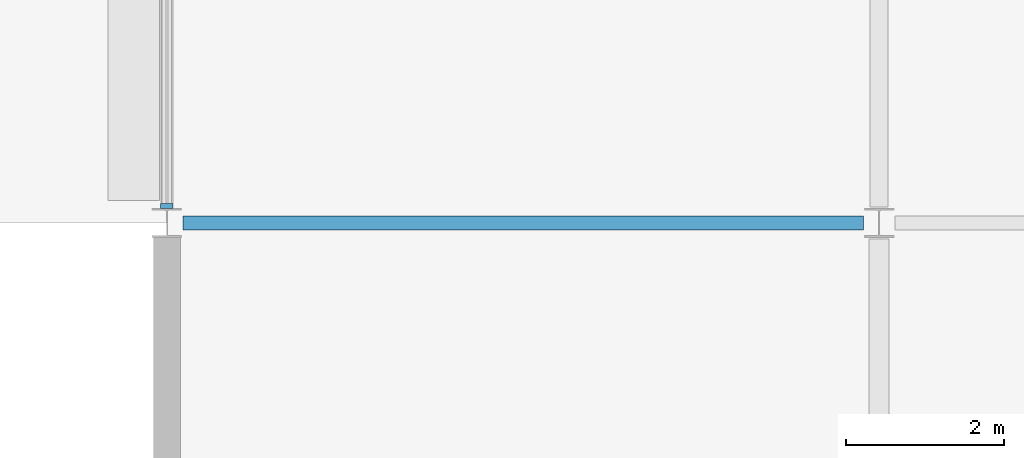
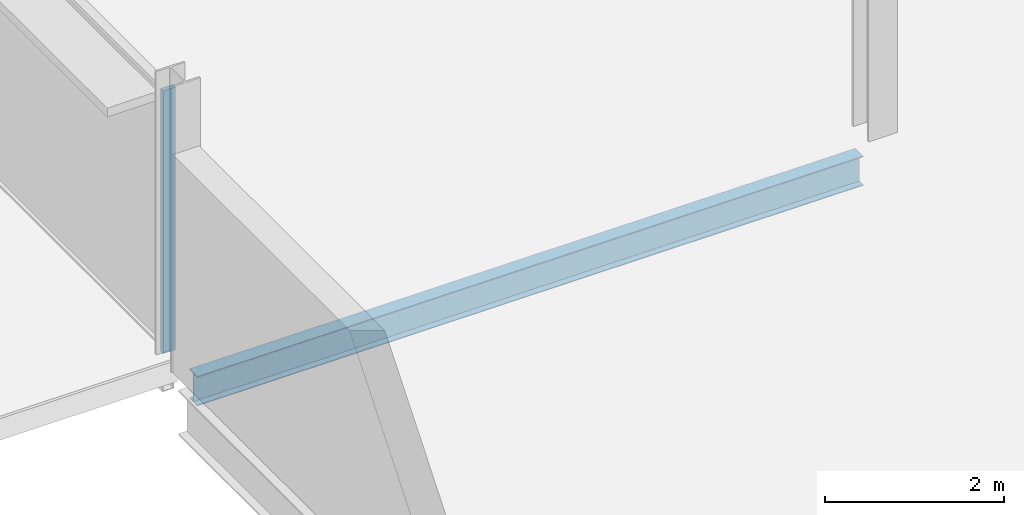
# One storey, part 50 of 105: 1 beam, 1 member, 1 element without a shape of its own.
"""IFC4 building model written with IfcOpenShell, lengths in metres."""

from ifc_helpers import new_model, si_unit, direction, frame, origin, origin_2d, place, context, subcontext, project, spatial, rectangle, i_section, extrude, material, layer, layer_set, material_profile, profile_set, type_object, element, aggregate, save


model = new_model("IFC4")

# Units and contexts
model_context = context("Model", 3, precision=1e-05, world=origin(), true_north=direction((0.0, 1.0)))
body_context = subcontext(model_context, "Body", "Model", "MODEL_VIEW")
ifc_project = project(units=[si_unit("LENGTHUNIT", "METRE"), si_unit("AREAUNIT", "SQUARE_METRE"), si_unit("VOLUMEUNIT", "CUBIC_METRE"), si_unit("PLANEANGLEUNIT", "RADIAN"), si_unit("MASSUNIT", "GRAM", prefix="KILO")], contexts=[model_context])

# Site, building, storey
site_placement = place(None, origin())
site = spatial("IfcSite", under=ifc_project, at=site_placement, CompositionType="ELEMENT")
building_placement = place(site_placement, origin())
building = spatial("IfcBuilding", under=site, at=building_placement, Name="Kisiwana Market Hall", CompositionType="ELEMENT")
storey_placement = place(building_placement, frame((0.0, 0.0, 21.60009765625)))
storey = spatial("IfcBuildingStorey", under=building, at=storey_placement, Name="L04", CompositionType="ELEMENT", Elevation=21.60009765625)

# Beam
ifc_material_1 = material(Name="Steel S355", Category="steel")
ifc_material_profile_1 = material_profile(ifc_material_1, i_section(OverallWidth=0.177734375, OverallDepth=0.402587890625, WebThickness=0.0078125, FlangeThickness=0.010986328125, at=origin_2d()), Name="UB 406x178x54")
ifc_profile_set_1 = profile_set([ifc_material_profile_1], Name="Steel S355")
beam_type = type_object("IfcBeamType", Name="BM-JOIST-UB406", PredefinedType="JOIST", material=ifc_profile_set_1)
beam_placement = place(storey_placement, frame((153.201904296875, 84.0, -0.4462890625), z_axis=(1.0, 0.0, 0.0), x_axis=(0.0, 1.0, 0.0)))
element("IfcBeam", 1, at=beam_placement, inside=storey, type_object=beam_type, Name="Floor beam B-1457", PredefinedType="JOIST", context=body_context, shape_type="SweptSolid", body=[
    extrude(i_section(OverallWidth=0.177734375, OverallDepth=0.402587890625, WebThickness=0.0078125, FlangeThickness=0.010986328125, at=origin_2d()), origin(), (0.0, 0.0, 1.0), 8.59912109375),
])

# Curtain wall, member
ifc_material_2 = material(Name="Double-glazed solar-control low-E IGU", Category="glass")
ifc_layer = layer(ifc_material_2, 0.159912109375)
ifc_layer_set = layer_set([ifc_layer], Name="CW-ZNA-EW-8200")
curtain_wall_type = type_object("IfcCurtainWallType", Name="CW-ZNA-EW-8200", PredefinedType="USERDEFINED", material=ifc_layer_set)
curtain_wall_placement = place(storey_placement, origin())
curtain_wall = element("IfcCurtainWall", 2, at=curtain_wall_placement, inside=storey, type_object=curtain_wall_type, Name="Unitised curtain wall CW-126 (L04)", ObjectType="UNITISED CURTAIN WALL", PredefinedType="USERDEFINED")
ifc_material_3 = material(Name="Aluminium alloy 6063-T6", Category="aluminium")
ifc_material_profile_2 = material_profile(ifc_material_3, rectangle(XDim=0.06005859375, YDim=0.159912109375, at=origin_2d()), Name="ALU MULLION 60x160")
ifc_profile_set_2 = profile_set([ifc_material_profile_2], Name="Aluminium alloy 6063-T6")
member_type = type_object("IfcMemberType", Name="CW-MULL-60x160", PredefinedType="MULLION", material=ifc_profile_set_2)
member_placement = place(storey_placement, frame((153.0, 84.214111328125, 0.0), z_axis=(0.0, 0.0, 1.0), x_axis=(0.0, 1.0, 0.0)))
member = element("IfcMember", 3, at=member_placement, type_object=member_type, Name="CW-126 mullion 1", PredefinedType="MULLION", context=body_context, shape_type="SweptSolid", body=[
    extrude(rectangle(XDim=0.06005859375, YDim=0.159912109375, at=origin_2d()), origin(), (0.0, 0.0, 1.0), 3.5849609375),
])
aggregate(curtain_wall, [member])

save(model, "model.ifc")
